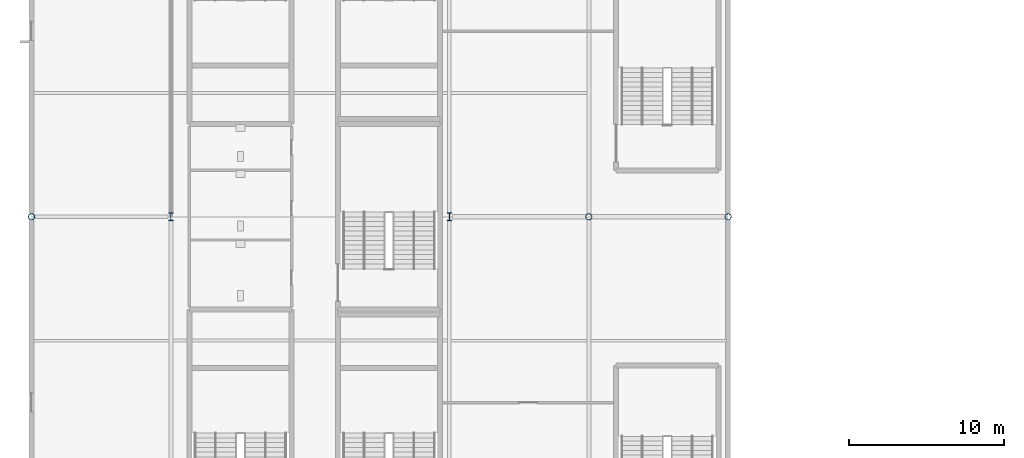
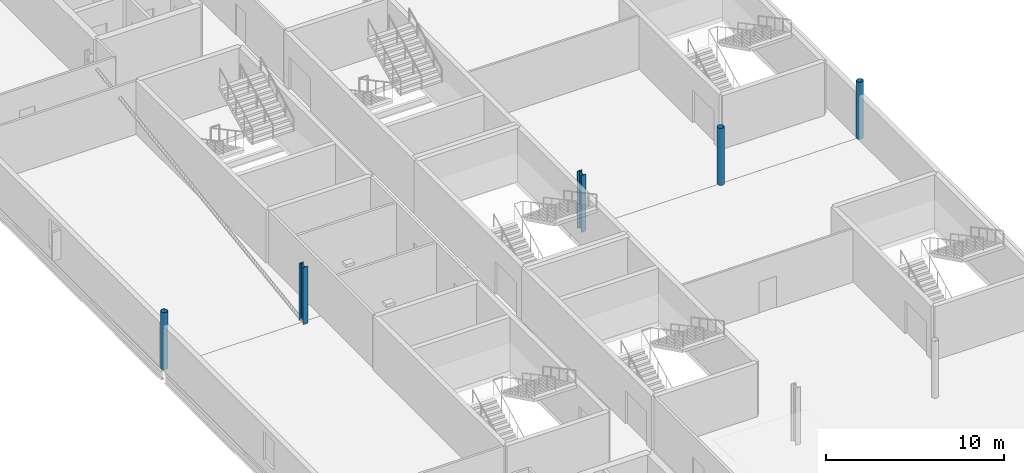
# One storey, part 3 of 96: 5 columns.
"""IFC4 building model written with IfcOpenShell, lengths in metres."""

from ifc_helpers import new_model, si_unit, direction, frame, origin, origin_2d, place, context, subcontext, project, spatial, hollow_circle, i_section, extrude, material, material_profile, profile_set, type_object, element, save


model = new_model("IFC4")

# Units and contexts
model_context = context("Model", 3, precision=1e-05, world=origin(), true_north=direction((0.0, 1.0)))
body_context = subcontext(model_context, "Body", "Model", "MODEL_VIEW")
ifc_project = project(units=[si_unit("LENGTHUNIT", "METRE"), si_unit("AREAUNIT", "SQUARE_METRE"), si_unit("VOLUMEUNIT", "CUBIC_METRE"), si_unit("PLANEANGLEUNIT", "RADIAN"), si_unit("MASSUNIT", "GRAM", prefix="KILO")], contexts=[model_context])

# Site, building, storey
site_placement = place(None, origin())
site = spatial("IfcSite", under=ifc_project, at=site_placement, CompositionType="ELEMENT")
building_placement = place(site_placement, origin())
building = spatial("IfcBuilding", under=site, at=building_placement, Name="Kisiwana Market Hall", CompositionType="ELEMENT")
storey_placement = place(building_placement, frame((0.0, 0.0, 25.5)))
storey = spatial("IfcBuildingStorey", under=building, at=storey_placement, Name="L05", CompositionType="ELEMENT", Elevation=25.5)

# Columns
ifc_material_1 = material(Name="Steel S355", Category="steel")
ifc_material_profile_1 = material_profile(ifc_material_1, hollow_circle(Radius=0.203125, WallThickness=0.01611328125, at=origin_2d()), Name="CHS 406.4x16")
ifc_profile_set_1 = profile_set([ifc_material_profile_1], Name="Steel S355")
column_type_1 = type_object("IfcColumnType", Name="COL-STL-CHS406", PredefinedType="COLUMN", material=ifc_profile_set_1)
for number, where, z_axis, x_axis, name in (
    (1, (0.0, 60.0, 0.0), (0.0, 0.0, 1.0), (1.0, 0.0, 0.0), "Column H/1 (L05) C-0885"),
    (2, (45.0, 60.0, 0.0), (0.0, 0.0, 1.0), (1.0, 0.0, 0.0), "Column H/6 (L05) C-0912"),
    (3, (36.0, 60.0, 0.0), (0.0, 0.0, 1.0), (1.0, 0.0, 0.0), "Column H/5 (L05) C-0879"),
):
    element("IfcColumn", number, at=place(storey_placement, frame(where, z_axis=z_axis, x_axis=x_axis)), inside=storey, type_object=column_type_1, Name=name, PredefinedType="COLUMN", context=body_context, shape_type="SweptSolid", body=[
        extrude(hollow_circle(Radius=0.203125, WallThickness=0.01611328125, at=origin_2d()), origin(), (0.0, 0.0, 1.0), 3.89990234375),
    ])
ifc_material_2 = material(Name="Steel S355", Category="steel")
ifc_material_profile_2 = material_profile(ifc_material_2, i_section(OverallWidth=0.300048828125, OverallDepth=0.5, WebThickness=0.014404296875, FlangeThickness=0.028076171875, FilletRadius=0.027099609375, at=origin_2d()), Name="HEB 500")
ifc_profile_set_2 = profile_set([ifc_material_profile_2], Name="Steel S355")
column_type_2 = type_object("IfcColumnType", Name="COL-STL-HEB500", PredefinedType="COLUMN", material=ifc_profile_set_2)
for number, where, z_axis, x_axis, name in (
    (4, (27.0, 60.0, 0.0), (0.0, 0.0, 1.0), (1.0, 0.0, 0.0), "Column H/4 (L05) C-0898"),
    (5, (9.0, 60.0, 0.0), (0.0, 0.0, 1.0), (1.0, 0.0, 0.0), "Column H/2 (L05) C-0878"),
):
    element("IfcColumn", number, at=place(storey_placement, frame(where, z_axis=z_axis, x_axis=x_axis)), inside=storey, type_object=column_type_2, Name=name, PredefinedType="COLUMN", context=body_context, shape_type="SweptSolid", body=[
        extrude(i_section(OverallWidth=0.300048828125, OverallDepth=0.5, WebThickness=0.014404296875, FlangeThickness=0.028076171875, FilletRadius=0.027099609375, at=origin_2d()), origin(), (0.0, 0.0, 1.0), 3.89990234375),
    ])

save(model, "model.ifc")
